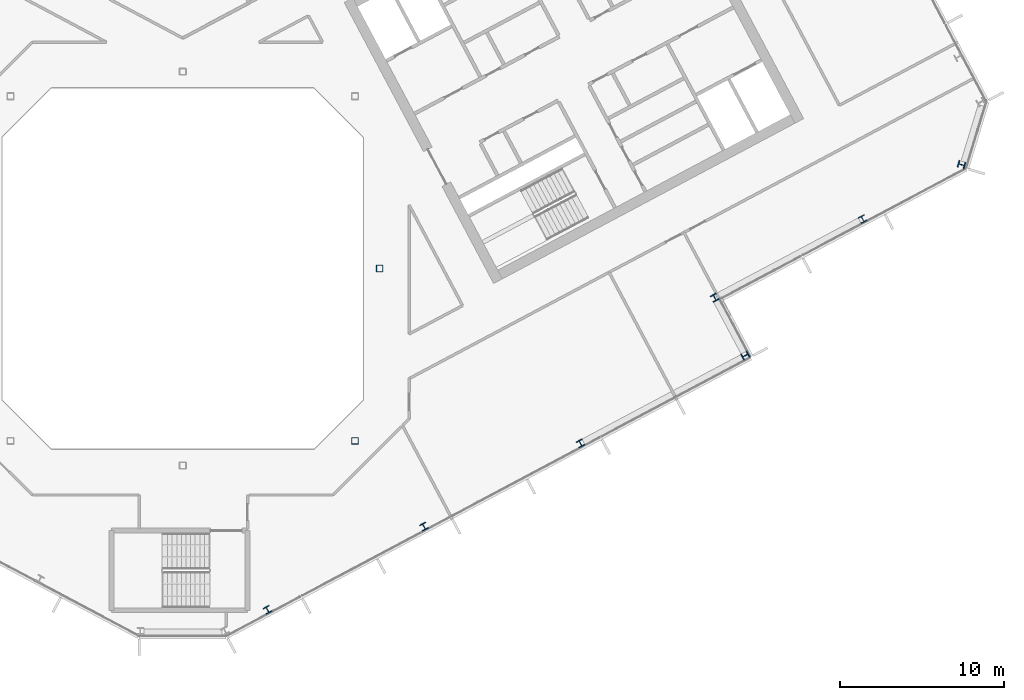
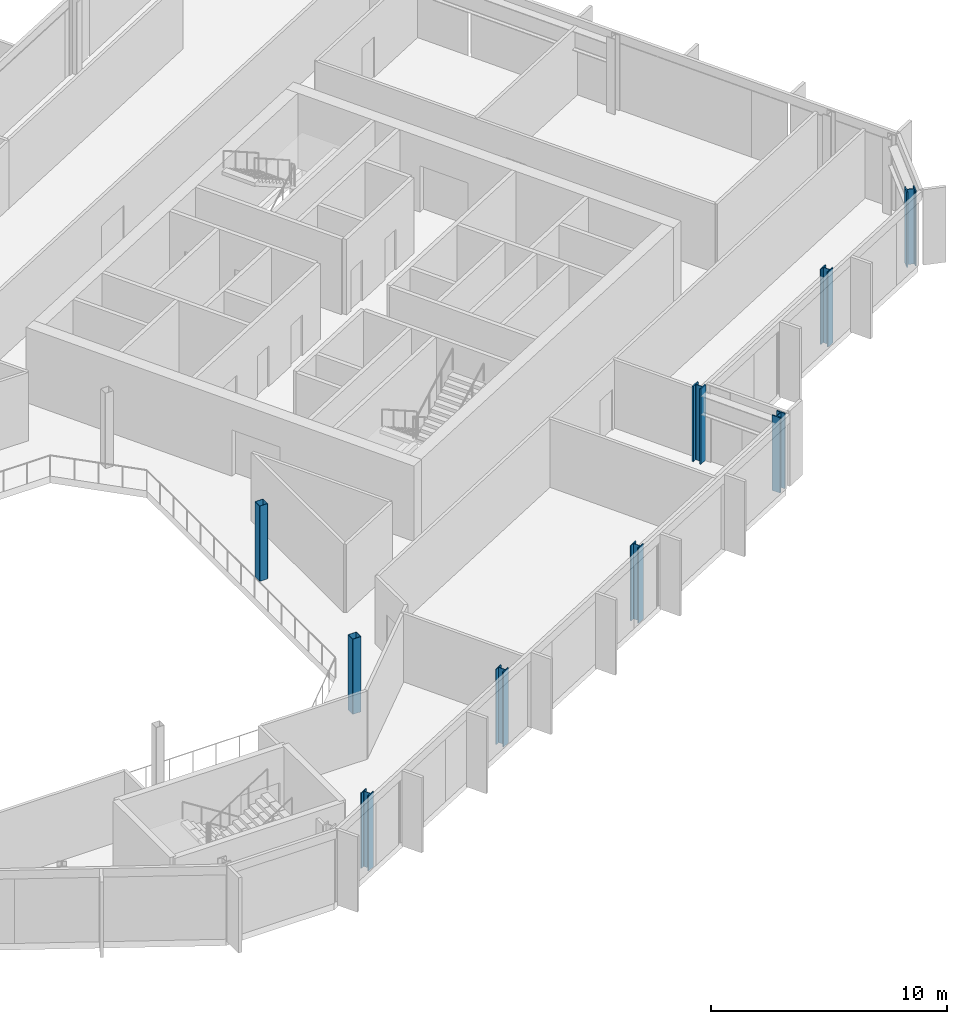
# One storey, part 5 of 26: 9 columns.
"""IFC4 building model written with IfcOpenShell, lengths in metres."""

from ifc_helpers import new_model, si_unit, direction, frame, origin, origin_2d, place, context, subcontext, project, spatial, hollow_rectangle, i_section, extrude, material, material_profile, profile_set, type_object, element, save


model = new_model("IFC4")

# Units and contexts
model_context = context("Model", 3, precision=1e-05, world=origin(), true_north=direction((0.0, 1.0)))
body_context = subcontext(model_context, "Body", "Model", "MODEL_VIEW")
ifc_project = project(units=[si_unit("LENGTHUNIT", "METRE"), si_unit("AREAUNIT", "SQUARE_METRE"), si_unit("VOLUMEUNIT", "CUBIC_METRE"), si_unit("PLANEANGLEUNIT", "RADIAN"), si_unit("MASSUNIT", "GRAM", prefix="KILO")], contexts=[model_context])

# Site, building, storey
site_placement = place(None, origin())
site = spatial("IfcSite", under=ifc_project, at=site_placement, CompositionType="ELEMENT")
building_placement = place(site_placement, origin())
building = spatial("IfcBuilding", under=site, at=building_placement, Name="Cormorant Relay Tower", CompositionType="ELEMENT")
storey_placement = place(building_placement, frame((0.0, 0.0, 193.5)))
storey = spatial("IfcBuildingStorey", under=building, at=storey_placement, Name="L41", CompositionType="ELEMENT", Elevation=193.5)

# Columns
ifc_material_1 = material(Name="Steel ASTM A500 Grade C (Fy 345 MPa)", Category="steel")
ifc_material_profile_1 = material_profile(ifc_material_1, hollow_rectangle(XDim=0.406494140625, YDim=0.406494140625, WallThickness=0.0146484375, InnerFilletRadius=0.00732421875, OuterFilletRadius=0.022216796875, at=origin_2d()), Name="HSS406x406x15")
ifc_profile_set_1 = profile_set([ifc_material_profile_1], Name="Steel ASTM A500 Grade C (Fy 345 MPa)")
column_type_1 = type_object("IfcColumnType", Name="Column HSS406x406x15", PredefinedType="COLUMN", material=ifc_profile_set_1)
for number, where, z_axis, x_axis, name in (
    (1, (10.5, -10.5, 0.0), (0.0, 0.0, 1.0), (1.0, 0.0, 0.0), "Column L41-010"),
    (2, (12.0, 0.0, 0.0), (0.0, 0.0, 1.0), (1.0, 0.0, 0.0), "Column L41-016"),
):
    element("IfcColumn", number, at=place(storey_placement, frame(where, z_axis=z_axis, x_axis=x_axis)), inside=storey, type_object=column_type_1, Name=name, PredefinedType="COLUMN", context=body_context, shape_type="SweptSolid", body=[
        extrude(hollow_rectangle(XDim=0.406494140625, YDim=0.406494140625, WallThickness=0.0146484375, InnerFilletRadius=0.00732421875, OuterFilletRadius=0.022216796875, at=origin_2d()), origin(), (0.0, 0.0, 1.0), 3.89990234375),
    ])
ifc_material_2 = material(Name="Steel ASTM A992 (Fy 345 MPa)", Category="steel")
ifc_material_profile_2 = material_profile(ifc_material_2, i_section(OverallWidth=0.40380859375, OverallDepth=0.406494140625, WebThickness=0.027099609375, FlangeThickness=0.043701171875, FilletRadius=0.01513671875, at=origin_2d()), Name="W360x347")
ifc_profile_set_2 = profile_set([ifc_material_profile_2], Name="Steel ASTM A992 (Fy 345 MPa)")
column_type_2 = type_object("IfcColumnType", Name="Column W360x347", PredefinedType="COLUMN", material=ifc_profile_set_2)
for number, where, z_axis, x_axis, name in (
    (3, (5.1689453125, -20.798095703125, 0.0), (0.0, 0.0, 1.0), (0.882947592859, 0.469471562786, 0.0), "Column L41-003"),
    (4, (14.705078125, -15.72705078125, 0.0), (0.0, 0.0, 1.0), (0.882947592859, 0.469471562786, 0.0), "Column L41-005"),
    (5, (24.240966796875, -10.656982421875, 0.0), (0.0, 0.0, 1.0), (0.882947592859, 0.469471562786, 0.0), "Column L41-008"),
    (6, (41.43408203125, 3.014892578125, 0.0), (0.0, 0.0, 1.0), (0.882947592859, 0.469471562786, 0.0), "Column L41-019"),
):
    element("IfcColumn", number, at=place(storey_placement, frame(where, z_axis=z_axis, x_axis=x_axis)), inside=storey, type_object=column_type_2, Name=name, PredefinedType="COLUMN", context=body_context, shape_type="SweptSolid", body=[
        extrude(i_section(OverallWidth=0.40380859375, OverallDepth=0.406494140625, WebThickness=0.027099609375, FlangeThickness=0.043701171875, FilletRadius=0.01513671875, at=origin_2d()), origin(), (0.0, 0.0, 1.0), 3.89990234375),
    ])
ifc_material_3 = material(Name="Steel ASTM A992 (Fy 345 MPa)", Category="steel")
ifc_material_profile_3 = material_profile(ifc_material_3, i_section(OverallWidth=0.41162109375, OverallDepth=0.434326171875, WebThickness=0.035888671875, FlangeThickness=0.057373046875, FilletRadius=0.01513671875, at=origin_2d()), Name="W360x463")
ifc_profile_set_3 = profile_set([ifc_material_profile_3], Name="Steel ASTM A992 (Fy 345 MPa)")
column_type_3 = type_object("IfcColumnType", Name="Column W360x463", PredefinedType="COLUMN", material=ifc_profile_set_3)
for number, where, z_axis, x_axis, name in (
    (7, (34.284912109375, -5.305908203125, 0.0), (0.0, 0.0, 1.0), (-0.469471562786, 0.882947592859, 0.0), "Column L41-012"),
    (8, (32.4169921875, -1.777099609375, 0.0), (0.0, 0.0, 1.0), (0.882947592859, 0.469471562786, 0.0), "Column L41-014"),
    (9, (47.458984375, 6.325927734375, 0.0), (0.0, 0.0, 1.0), (0.292371704723, 0.956304755963, 0.0), "Column L41-020"),
):
    element("IfcColumn", number, at=place(storey_placement, frame(where, z_axis=z_axis, x_axis=x_axis)), inside=storey, type_object=column_type_3, Name=name, PredefinedType="COLUMN", context=body_context, shape_type="SweptSolid", body=[
        extrude(i_section(OverallWidth=0.41162109375, OverallDepth=0.434326171875, WebThickness=0.035888671875, FlangeThickness=0.057373046875, FilletRadius=0.01513671875, at=origin_2d()), origin(), (0.0, 0.0, 1.0), 3.89990234375),
    ])

save(model, "model.ifc")
